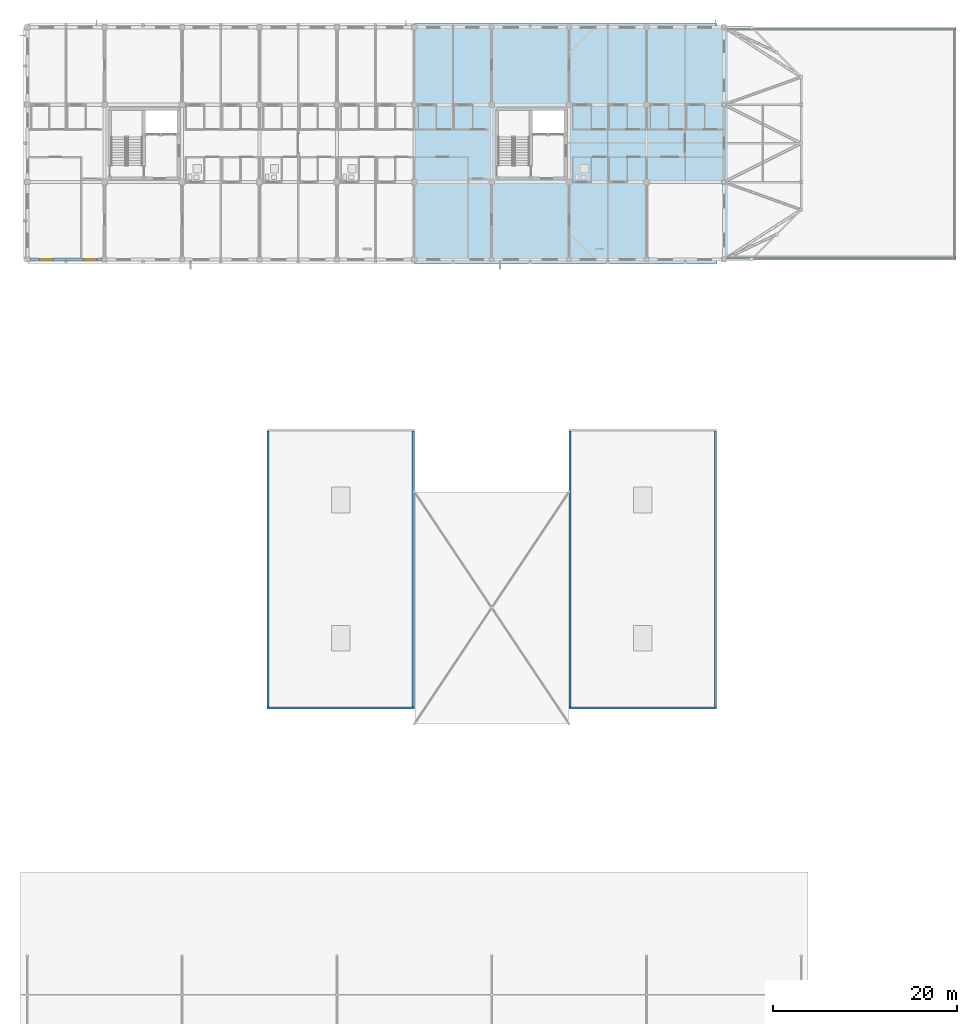
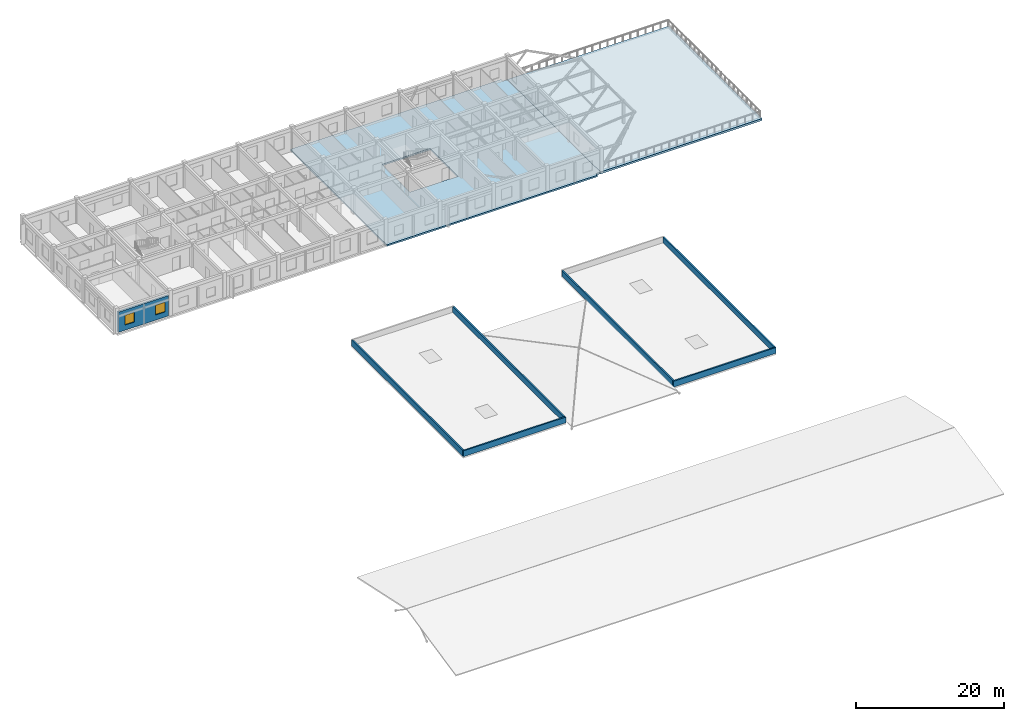
# One storey, part 5 of 21: 7 walls, 2 slabs, 2 windows, 2 openings.
"""IFC4 building model written with IfcOpenShell, lengths in metres."""

from ifc_helpers import new_model, si_unit, direction, frame, frame_2d, origin, place, context, subcontext, project, spatial, polyline, rectangle, outline, extrude, material, layer, layer_set, type_object, element, fill, save


model = new_model("IFC4")

# Units and contexts
model_context = context("Model", 3, precision=1e-05, world=origin(), true_north=direction((0.0, 1.0)))
body_context = subcontext(model_context, "Body", "Model", "MODEL_VIEW")
ifc_project = project(units=[si_unit("LENGTHUNIT", "METRE"), si_unit("AREAUNIT", "SQUARE_METRE"), si_unit("VOLUMEUNIT", "CUBIC_METRE"), si_unit("PLANEANGLEUNIT", "RADIAN"), si_unit("MASSUNIT", "GRAM", prefix="KILO")], contexts=[model_context])

# Site, building, storey
site_placement = place(None, origin())
site = spatial("IfcSite", under=ifc_project, at=site_placement, CompositionType="ELEMENT")
building_placement = place(site_placement, origin())
building = spatial("IfcBuilding", under=site, at=building_placement, Name="Trelvath General Hospital", CompositionType="ELEMENT")
storey_placement = place(building_placement, frame((0.0, 0.0, 28.800048828125)))
storey = spatial("IfcBuildingStorey", under=building, at=storey_placement, Name="L07", CompositionType="ELEMENT", Elevation=28.800048828125)

# Slabs
ifc_material_1 = material(Name="Concrete C35/45", Category="concrete")
ifc_layer_1 = layer(ifc_material_1, 0.260009765625)
ifc_layer_set_1 = layer_set([ifc_layer_1], Name="Concrete C35/45")
slab_type_1 = type_object("IfcSlabType", Name="FlatSlab Ward260", PredefinedType="FLOOR", material=ifc_layer_set_1)
slab_1_placement = place(storey_placement, frame((0.0, 0.0, -0.260009765625)))
element("IfcSlab", 1, at=slab_1_placement, inside=storey, type_object=slab_type_1, Name="Floor Slab SL-L07-V5-N1", PredefinedType="FLOOR", context=body_context, shape_type="SweptSolid", body=[
    extrude(outline(polyline([(108.449951171875, 91.97998046875), (75.6201171875, 91.97998046875), (75.6201171875, 118.02001953125), (108.449951171875, 118.02001953125), (108.449951171875, 117.60009765625), (109.199951171875, 117.60009765625), (109.199951171875, 92.39990234375), (108.449951171875, 92.39990234375), (108.449951171875, 91.97998046875)]), holes=[polyline([(84.550048828125, 101.199951171875), (92.050048828125, 101.199951171875), (92.050048828125, 108.75), (84.550048828125, 108.75), (84.550048828125, 101.199951171875)])]), origin(), (0.0, 0.0, 1.0), 0.260009765625),
])
ifc_material_2 = material(Name="Concrete C35/45", Category="concrete")
ifc_layer_2 = layer(ifc_material_2, 0.320068359375)
ifc_layer_set_2 = layer_set([ifc_layer_2], Name="Concrete C35/45")
slab_type_2 = type_object("IfcSlabType", Name="PlantedTerraceSlab 320", PredefinedType="ROOF", material=ifc_layer_set_2)
slab_2_placement = place(storey_placement, frame((0.0, 0.0, -0.320068359375)))
element("IfcSlab", 2, at=slab_2_placement, inside=storey, type_object=slab_type_2, Name="Planted Healing Terrace TERR-NW-E7 L07", PredefinedType="ROOF", context=body_context, shape_type="SweptSolid", body=[
    extrude(outline(polyline([(109.199951171875, 92.39990234375), (134.39990234375, 92.39990234375), (134.39990234375, 117.60009765625), (109.199951171875, 117.60009765625), (109.199951171875, 92.39990234375)])), origin(), (0.0, 0.0, 1.0), 0.320068359375),
])

# Wall, openings, windows
ifc_material_3 = material(Name="Concrete C35/45", Category="concrete")
ifc_layer_3 = layer(ifc_material_3, 0.2900390625)
ifc_layer_set_3 = layer_set([ifc_layer_3], Name="Concrete C35/45")
wall_type_1 = type_object("IfcWallType", Name="ExtBushHammeredWall 290", PredefinedType="SOLIDWALL", material=ifc_layer_set_3)
wall_1_placement = place(storey_placement, frame((41.72998046875, 92.39990234375, 0.0), z_axis=(0.0, 0.0, 1.0), x_axis=(-1.0, 0.0, 0.0)))
wall_1 = element("IfcWall", 3, at=wall_1_placement, inside=storey, type_object=wall_type_1, Name="Exterior Concrete Wall L07-608", PredefinedType="SOLIDWALL", context=body_context, shape_type="SweptSolid", body=[
    extrude(rectangle(XDim=7.85986328125, YDim=0.2900390625, at=frame_2d((3.929931640625, 0.0))), origin(), (0.0, 0.0, 1.0), 3.33984375),
])
opening_1_placement = place(wall_1_placement, frame((0.544921875, 0.0, 0.85009765625)))
opening_1 = element("IfcOpeningElement", 4, at=opening_1_placement, cuts=wall_1, Name="Opening WN-7-1023", PredefinedType="OPENING", context=body_context, shape_type="SweptSolid", body=[
    extrude(rectangle(XDim=1.47998046875, YDim=1.60009765625, at=frame_2d((0.739990234375, 0.800048828125))), frame((0.0, 0.155029296875, 0.0), z_axis=(0.0, -1.0, 0.0), x_axis=(1.0, 0.0, 0.0)), (0.0, 0.0, 1.0), 0.31005859375),
])
opening_2_placement = place(wall_1_placement, frame((5.312255859375, 0.0, 0.85009765625)))
opening_2 = element("IfcOpeningElement", 5, at=opening_2_placement, cuts=wall_1, Name="Opening WN-7-1024", PredefinedType="OPENING", context=body_context, shape_type="SweptSolid", body=[
    extrude(rectangle(XDim=1.47998046875, YDim=1.60009765625, at=frame_2d((0.739990234375, 0.800048828125))), frame((0.0, 0.155029296875, 0.0), z_axis=(0.0, -1.0, 0.0), x_axis=(1.0, 0.0, 0.0)), (0.0, 0.0, 1.0), 0.31005859375),
])
ifc_material_4 = material(Name="Low-E laminated glass", Category="glass")
window_type = type_object("IfcWindowType", Name="Window Clinic 1480x1600", PartitioningType="DOUBLE_PANEL_VERTICAL", PredefinedType="WINDOW", material=ifc_material_4)
window_1_placement = place(opening_1_placement, origin())
window_1 = element("IfcWindow", 6, at=window_1_placement, inside=storey, type_object=window_type, Name="Solar Reveal Window L07-1023", OverallHeight=1.60009765625, OverallWidth=1.47998046875, PartitioningType="SINGLE_PANEL", PredefinedType="WINDOW", context=body_context, shape_type="SweptSolid", body=[
    extrude(rectangle(XDim=1.47998046875, YDim=1.60009765625, at=frame_2d((0.739990234375, 0.800048828125))), frame((0.0, 0.030029296875, 0.0), z_axis=(0.0, -1.0, 0.0), x_axis=(1.0, 0.0, 0.0)), (0.0, 0.0, 1.0), 0.06005859375),
])
fill(opening_1, window_1)
window_2_placement = place(opening_2_placement, origin())
window_2 = element("IfcWindow", 7, at=window_2_placement, inside=storey, type_object=window_type, Name="Solar Reveal Window L07-1024", OverallHeight=1.60009765625, OverallWidth=1.47998046875, PartitioningType="SINGLE_PANEL", PredefinedType="WINDOW", context=body_context, shape_type="SweptSolid", body=[
    extrude(rectangle(XDim=1.47998046875, YDim=1.60009765625, at=frame_2d((0.739990234375, 0.800048828125))), frame((0.0, 0.030029296875, 0.0), z_axis=(0.0, -1.0, 0.0), x_axis=(1.0, 0.0, 0.0)), (0.0, 0.0, 1.0), 0.06005859375),
])
fill(opening_2, window_2)

# Walls
ifc_material_5 = material(Name="Concrete C35/45", Category="concrete")
ifc_layer_4 = layer(ifc_material_5, 0.22998046875)
ifc_layer_set_4 = layer_set([ifc_layer_4], Name="Concrete C35/45")
wall_type_2 = type_object("IfcWallType", Name="RoofParapet 230", PredefinedType="PARAPET", material=ifc_layer_set_4)
wall_2_placement = place(storey_placement, frame((59.60009765625, 43.715087890625, 0.0), z_axis=(0.0, 0.0, 1.0), x_axis=(1.0, 0.0, 0.0)))
element("IfcWall", 8, at=wall_2_placement, inside=storey, type_object=wall_type_2, Name="Crown Roof Parapet 1-S", PredefinedType="PARAPET", context=body_context, shape_type="SweptSolid", body=[
    extrude(rectangle(XDim=16.0, YDim=0.22998046875, at=frame_2d((8.0, 0.0))), origin(), (0.0, 0.0, 1.0), 0.949951171875),
])
for number, where, z_axis, x_axis, name in (
    (9, (59.715087890625, 43.830078125, 0.0), (0.0, 0.0, 1.0), (0.0, 1.0, 0.0), "Crown Roof Parapet 1-W"),
    (10, (75.485107421875, 43.830078125, 0.0), (0.0, 0.0, 1.0), (0.0, 1.0, 0.0), "Crown Roof Parapet 1-E"),
):
    element("IfcWall", number, at=place(storey_placement, frame(where, z_axis=z_axis, x_axis=x_axis)), inside=storey, type_object=wall_type_2, Name=name, PredefinedType="PARAPET", context=body_context, shape_type="SweptSolid", body=[
        extrude(rectangle(XDim=29.93994140625, YDim=0.22998046875, at=frame_2d((14.969970703125, 0.0))), origin(), (0.0, 0.0, 1.0), 0.949951171875),
    ])
wall_3_placement = place(storey_placement, frame((92.39990234375, 43.715087890625, 0.0), z_axis=(0.0, 0.0, 1.0), x_axis=(1.0, 0.0, 0.0)))
element("IfcWall", 11, at=wall_3_placement, inside=storey, type_object=wall_type_2, Name="Crown Roof Parapet 2-S", PredefinedType="PARAPET", context=body_context, shape_type="SweptSolid", body=[
    extrude(rectangle(XDim=16.0, YDim=0.22998046875, at=frame_2d((8.0, 0.0))), origin(), (0.0, 0.0, 1.0), 0.949951171875),
])
for number, where, z_axis, x_axis, name in (
    (12, (92.514892578125, 43.830078125, 0.0), (0.0, 0.0, 1.0), (0.0, 1.0, 0.0), "Crown Roof Parapet 2-W"),
    (13, (108.284912109375, 43.830078125, 0.0), (0.0, 0.0, 1.0), (0.0, 1.0, 0.0), "Crown Roof Parapet 2-E"),
):
    element("IfcWall", number, at=place(storey_placement, frame(where, z_axis=z_axis, x_axis=x_axis)), inside=storey, type_object=wall_type_2, Name=name, PredefinedType="PARAPET", context=body_context, shape_type="SweptSolid", body=[
        extrude(rectangle(XDim=29.93994140625, YDim=0.22998046875, at=frame_2d((14.969970703125, 0.0))), origin(), (0.0, 0.0, 1.0), 0.949951171875),
    ])

save(model, "model.ifc")
